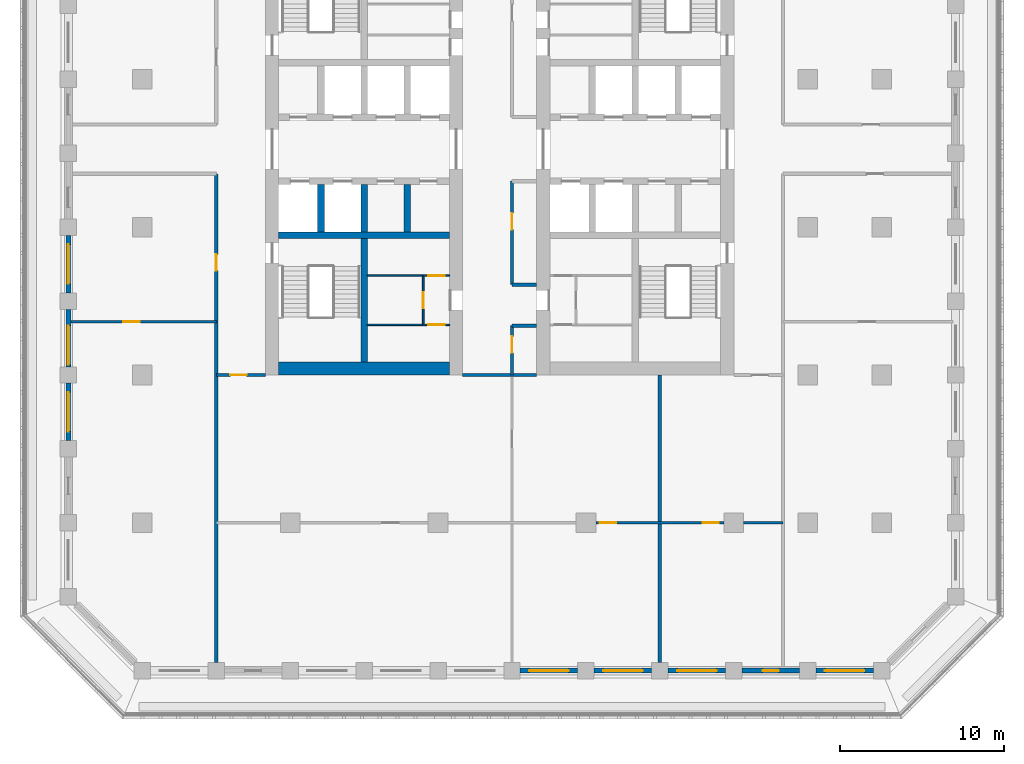
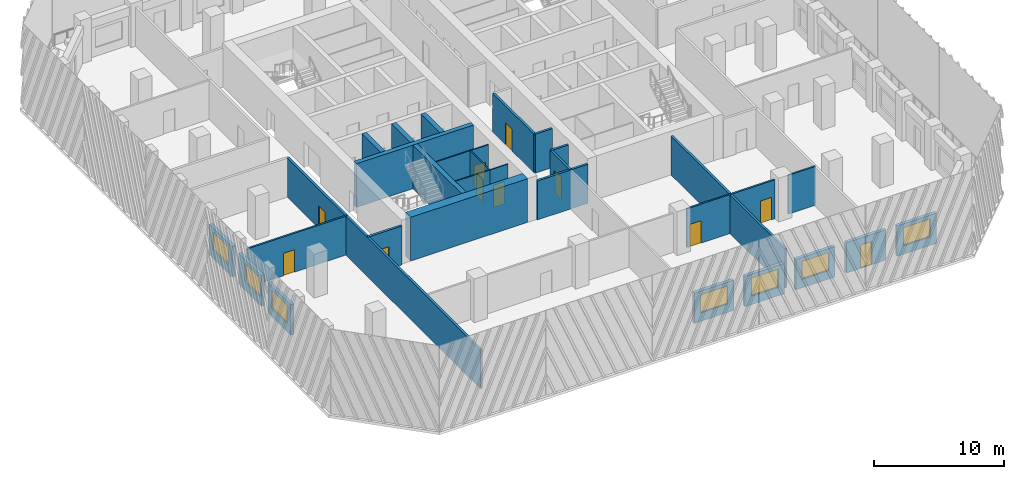
# One storey, part 3 of 16: 30 walls, 11 doors, 7 windows, 18 openings.
"""IFC4 building model written with IfcOpenShell, lengths in metres."""

from ifc_helpers import new_model, si_unit, direction, frame, frame_2d, origin, place, context, subcontext, project, spatial, rectangle, extrude, material, layer, layer_set, type_object, element, fill, save


model = new_model("IFC4")

# Units and contexts
model_context = context("Model", 3, precision=1e-05, world=origin(), true_north=direction((0.0, 1.0)))
body_context = subcontext(model_context, "Body", "Model", "MODEL_VIEW")
ifc_project = project(units=[si_unit("LENGTHUNIT", "METRE"), si_unit("AREAUNIT", "SQUARE_METRE"), si_unit("VOLUMEUNIT", "CUBIC_METRE"), si_unit("PLANEANGLEUNIT", "RADIAN"), si_unit("MASSUNIT", "GRAM", prefix="KILO")], contexts=[model_context])

# Site, building, storey
site_placement = place(None, origin())
site = spatial("IfcSite", under=ifc_project, at=site_placement, CompositionType="ELEMENT")
building_placement = place(site_placement, origin())
building = spatial("IfcBuilding", under=site, at=building_placement, Name="Corbel Stack Research Tower", CompositionType="ELEMENT")
storey_placement = place(building_placement, frame((0.0, 0.0, 199.699951171875)))
storey = spatial("IfcBuildingStorey", under=building, at=storey_placement, Name="L45", CompositionType="ELEMENT", Elevation=199.699951171875)

# Walls
ifc_material_1 = material(Name="Concrete C60/75", Category="concrete")
ifc_layer_1 = layer(ifc_material_1, 0.39990234375)
ifc_layer_set_1 = layer_set([ifc_layer_1], Name="Concrete C60/75")
wall_type_1 = type_object("IfcWallType", Name="CW-400-60", PredefinedType="SHEAR", material=ifc_layer_set_1)
wall_1_placement = place(storey_placement, frame((-9.699951171875, -0.5, 0.0), z_axis=(0.0, 0.0, 1.0), x_axis=(1.0, 0.0, 0.0)))
element("IfcWall", 1, at=wall_1_placement, inside=storey, type_object=wall_type_1, Name="West core wall, south row back L45", PredefinedType="SHEAR", context=body_context, shape_type="SweptSolid", body=[
    extrude(rectangle(XDim=10.39990234375, YDim=0.39990234375, at=frame_2d((5.199951171875, 0.0))), origin(), (0.0, 0.0, 1.0), 4.10009765625),
])
for number, where, z_axis, x_axis, name in (
    (2, (-7.125, -0.300048828125, 0.0), (0.0, 0.0, 1.0), (0.0, 1.0, 0.0), "West core wall, south shaft 1 L45"),
    (3, (-4.5, -0.300048828125, 0.0), (0.0, 0.0, 1.0), (0.0, 1.0, 0.0), "West core wall, south shaft 2 L45"),
    (4, (-1.875, -0.300048828125, 0.0), (0.0, 0.0, 1.0), (0.0, 1.0, 0.0), "West core wall, south shaft 3 L45"),
):
    element("IfcWall", number, at=place(storey_placement, frame(where, z_axis=z_axis, x_axis=x_axis)), inside=storey, type_object=wall_type_1, Name=name, PredefinedType="SHEAR", context=body_context, shape_type="SweptSolid", body=[
        extrude(rectangle(XDim=2.900146484375, YDim=0.39990234375, at=frame_2d((1.4501953125, 0.0))), origin(), (0.0, 0.0, 1.0), 4.10009765625),
    ])
wall_2_placement = place(storey_placement, frame((-4.5, -8.199951171875, 0.0), z_axis=(0.0, 0.0, 1.0), x_axis=(0.0, 1.0, 0.0)))
element("IfcWall", 5, at=wall_2_placement, inside=storey, type_object=wall_type_1, Name="West core wall, south stair and WC L45", PredefinedType="SHEAR", context=body_context, shape_type="SweptSolid", body=[
    extrude(rectangle(XDim=7.5, YDim=0.39990234375, at=frame_2d((3.75, 0.0))), origin(), (0.0, 0.0, 1.0), 4.10009765625),
])
ifc_material_2 = material(Name="Concrete C60/75", Category="concrete")
ifc_layer_2 = layer(ifc_material_2, 0.800048828125)
ifc_layer_set_2 = layer_set([ifc_layer_2], Name="Concrete C60/75")
wall_type_2 = type_object("IfcWallType", Name="CW-800-60", PredefinedType="SHEAR", material=ifc_layer_set_2)
wall_3_placement = place(storey_placement, frame((-9.699951171875, -8.60009765625, 0.0), z_axis=(0.0, 0.0, 1.0), x_axis=(1.0, 0.0, 0.0)))
element("IfcWall", 6, at=wall_3_placement, inside=storey, type_object=wall_type_2, Name="West core wall, south end L45", PredefinedType="SHEAR", context=body_context, shape_type="SweptSolid", body=[
    extrude(rectangle(XDim=10.39990234375, YDim=0.800048828125, at=frame_2d((5.199951171875, 0.0))), origin(), (0.0, 0.0, 1.0), 4.10009765625),
])

# Wall, opening, door
ifc_material_3 = material(Name="Gypsum board")
ifc_layer_3 = layer(ifc_material_3, 0.10009765625)
ifc_layer_set_3 = layer_set([ifc_layer_3], Name="Gypsum board")
wall_type_3 = type_object("IfcWallType", Name="Core partition 100", PredefinedType="PARTITIONING", material=ifc_layer_set_3)
wall_4_placement = place(storey_placement, frame((-0.89990234375, -5.949951171875, 0.0), z_axis=(0.0, 0.0, 1.0), x_axis=(1.0, 0.0, 0.0)))
wall_4 = element("IfcWall", 7, at=wall_4_placement, inside=storey, type_object=wall_type_3, Name="Core partition W", PredefinedType="PARTITIONING", context=body_context, shape_type="SweptSolid", body=[
    extrude(rectangle(XDim=1.599853515625, YDim=0.10009765625, at=frame_2d((0.7998046875, 0.0))), origin(), (0.0, 0.0, 1.0), 3.650146484375),
])
opening_1_placement = place(wall_4_placement, frame((0.300048828125, 0.0, 0.0)))
opening_1 = element("IfcOpeningElement", 8, at=opening_1_placement, cuts=wall_4, Name="Opening CR-W36-W2-1000", PredefinedType="OPENING", context=body_context, shape_type="SweptSolid", body=[
    extrude(rectangle(XDim=1.0, YDim=2.10009765625, at=frame_2d((0.5, 1.050048828125))), frame((0.0, 0.06005859375, 0.0), z_axis=(0.0, -1.0, 0.0), x_axis=(1.0, 0.0, 0.0)), (0.0, 0.0, 1.0), 0.1201171875),
])
ifc_material_4 = material(Name="Painted timber door", Category="wood")
door_type_1 = type_object("IfcDoorType", Name="WC door 1000 x 2100 right hand", OperationType="SINGLE_SWING_RIGHT", PredefinedType="DOOR", material=ifc_material_4)
door_1_placement = place(opening_1_placement, origin())
door_1 = element("IfcDoor", 9, at=door_1_placement, inside=storey, type_object=door_type_1, Name="Men's WC door W core", OperationType="SINGLE_SWING_RIGHT", OverallHeight=2.10009765625, OverallWidth=1.0, PredefinedType="DOOR", context=body_context, shape_type="SweptSolid", body=[
    extrude(rectangle(XDim=1.0, YDim=2.10009765625, at=frame_2d((0.5, 1.050048828125))), frame((0.0, 0.02490234375, 0.0), z_axis=(0.0, -1.0, 0.0), x_axis=(1.0, 0.0, 0.0)), (0.0, 0.0, 1.0), 0.050048828125),
])
fill(opening_1, door_1)

wall_5_placement = place(storey_placement, frame((-0.89990234375, -2.949951171875, 0.0), z_axis=(0.0, 0.0, 1.0), x_axis=(1.0, 0.0, 0.0)))
wall_5 = element("IfcWall", 10, at=wall_5_placement, inside=storey, type_object=wall_type_3, Name="Core partition W", PredefinedType="PARTITIONING", context=body_context, shape_type="SweptSolid", body=[
    extrude(rectangle(XDim=1.599853515625, YDim=0.10009765625, at=frame_2d((0.7998046875, 0.0))), origin(), (0.0, 0.0, 1.0), 3.650146484375),
])
opening_2_placement = place(wall_5_placement, frame((0.300048828125, 0.0, 0.0)))
opening_2 = element("IfcOpeningElement", 11, at=opening_2_placement, cuts=wall_5, Name="Opening CR-W36-W3-1000", PredefinedType="OPENING", context=body_context, shape_type="SweptSolid", body=[
    extrude(rectangle(XDim=1.0, YDim=2.10009765625, at=frame_2d((0.5, 1.050048828125))), frame((0.0, 0.06005859375, 0.0), z_axis=(0.0, -1.0, 0.0), x_axis=(1.0, 0.0, 0.0)), (0.0, 0.0, 1.0), 0.1201171875),
])
ifc_material_5 = material(Name="Painted timber door", Category="wood")
door_type_2 = type_object("IfcDoorType", Name="WC door 1000 x 2100 left hand", OperationType="SINGLE_SWING_LEFT", PredefinedType="DOOR", material=ifc_material_5)
door_2_placement = place(opening_2_placement, origin())
door_2 = element("IfcDoor", 12, at=door_2_placement, inside=storey, type_object=door_type_2, Name="Women's WC door W core", OperationType="SINGLE_SWING_LEFT", OverallHeight=2.10009765625, OverallWidth=1.0, PredefinedType="DOOR", context=body_context, shape_type="SweptSolid", body=[
    extrude(rectangle(XDim=1.0, YDim=2.10009765625, at=frame_2d((0.5, 1.050048828125))), frame((0.0, 0.02490234375, 0.0), z_axis=(0.0, -1.0, 0.0), x_axis=(1.0, 0.0, 0.0)), (0.0, 0.0, 1.0), 0.050048828125),
])
fill(opening_2, door_2)

wall_6_placement = place(storey_placement, frame((-0.89990234375, -5.949951171875, 0.0), z_axis=(0.0, 0.0, 1.0), x_axis=(0.0, 1.0, 0.0)))
wall_6 = element("IfcWall", 13, at=wall_6_placement, inside=storey, type_object=wall_type_3, Name="Core partition W", PredefinedType="PARTITIONING", context=body_context, shape_type="SweptSolid", body=[
    extrude(rectangle(XDim=3.0, YDim=0.10009765625, at=frame_2d((1.5, 0.0))), origin(), (0.0, 0.0, 1.0), 3.650146484375),
])
opening_3_placement = place(wall_6_placement, frame((1.0, 0.0, 0.0)))
opening_3 = element("IfcOpeningElement", 14, at=opening_3_placement, cuts=wall_6, Name="Opening CR-W36-W4-1000", PredefinedType="OPENING", context=body_context, shape_type="SweptSolid", body=[
    extrude(rectangle(XDim=1.0, YDim=2.10009765625, at=frame_2d((0.5, 1.050048828125))), frame((0.0, 0.06005859375, 0.0), z_axis=(0.0, -1.0, 0.0), x_axis=(1.0, 0.0, 0.0)), (0.0, 0.0, 1.0), 0.1201171875),
])
door_3_placement = place(opening_3_placement, origin())
door_3 = element("IfcDoor", 15, at=door_3_placement, inside=storey, type_object=door_type_1, Name="Accessible WC door W core", OperationType="SINGLE_SWING_RIGHT", OverallHeight=2.10009765625, OverallWidth=1.0, PredefinedType="DOOR", context=body_context, shape_type="SweptSolid", body=[
    extrude(rectangle(XDim=1.0, YDim=2.10009765625, at=frame_2d((0.5, 1.050048828125))), frame((0.0, 0.02490234375, 0.0), z_axis=(0.0, -1.0, 0.0), x_axis=(1.0, 0.0, 0.0)), (0.0, 0.0, 1.0), 0.050048828125),
])
fill(opening_3, door_3)

# Walls
for number, where, z_axis, x_axis, name in (
    (16, (-4.300048828125, -5.949951171875, 0.0), (0.0, 0.0, 1.0), (1.0, 0.0, 0.0), "Core partition W"),
    (17, (-4.300048828125, -2.949951171875, 0.0), (0.0, 0.0, 1.0), (1.0, 0.0, 0.0), "Core partition W"),
):
    element("IfcWall", number, at=place(storey_placement, frame(where, z_axis=z_axis, x_axis=x_axis)), inside=storey, type_object=wall_type_3, Name=name, PredefinedType="PARTITIONING", context=body_context, shape_type="SweptSolid", body=[
        extrude(rectangle(XDim=3.400146484375, YDim=0.10009765625, at=frame_2d((1.7001953125, 0.0))), origin(), (0.0, 0.0, 1.0), 3.650146484375),
    ])

# Wall, opening, door
ifc_material_6 = material(Name="Fire-rated gypsum board partition on steel studs", Category="steel")
ifc_layer_4 = layer(ifc_material_6, 0.199951171875)
ifc_layer_set_4 = layer_set([ifc_layer_4], Name="Fire-rated gypsum board partition on steel studs")
wall_type_4 = type_object("IfcWallType", Name="Fire-rated partition 200 EI 60", PredefinedType="PARTITIONING", material=ifc_layer_set_4)
wall_7_placement = place(storey_placement, frame((-13.5, -26.5, 0.0), z_axis=(0.0, 0.0, 1.0), x_axis=(0.0, 1.0, 0.0)))
wall_7 = element("IfcWall", 18, at=wall_7_placement, inside=storey, type_object=wall_type_4, Name="Partition L45-001", PredefinedType="PARTITIONING", context=body_context, shape_type="SweptSolid", body=[
    extrude(rectangle(XDim=29.75, YDim=0.199951171875, at=frame_2d((14.875, 0.0))), origin(), (0.0, 0.0, 1.0), 3.650146484375),
])
opening_4_placement = place(wall_7_placement, frame((23.85009765625, 0.0, 0.0)))
opening_4 = element("IfcOpeningElement", 19, at=opening_4_placement, cuts=wall_7, Name="Opening B6V0-004", PredefinedType="OPENING", context=body_context, shape_type="SweptSolid", body=[
    extrude(rectangle(XDim=1.0, YDim=2.10009765625, at=frame_2d((0.5, 1.050048828125))), frame((0.0, 0.10986328125, 0.0), z_axis=(0.0, -1.0, 0.0), x_axis=(1.0, 0.0, 0.0)), (0.0, 0.0, 1.0), 0.219970703125),
])
ifc_material_7 = material(Name="Painted steel fire door", Category="steel")
door_type_3 = type_object("IfcDoorType", Name="Fire door FD30S 1000 x 2100", OperationType="NOTDEFINED", PredefinedType="DOOR", material=ifc_material_7)
door_4_placement = place(opening_4_placement, origin())
door_4 = element("IfcDoor", 20, at=door_4_placement, inside=storey, type_object=door_type_3, Name="Door B6V0-004", OperationType="SINGLE_SWING_RIGHT", OverallHeight=2.10009765625, OverallWidth=1.0, PredefinedType="DOOR", context=body_context, shape_type="SweptSolid", body=[
    extrude(rectangle(XDim=1.0, YDim=2.10009765625, at=frame_2d((0.5, 1.050048828125))), frame((0.0, 0.02490234375, 0.0), z_axis=(0.0, -1.0, 0.0), x_axis=(1.0, 0.0, 0.0)), (0.0, 0.0, 1.0), 0.050048828125),
])
fill(opening_4, door_4)

wall_8_placement = place(storey_placement, frame((4.5, -6.0, 0.0), z_axis=(0.0, 0.0, 1.0), x_axis=(0.0, -1.0, 0.0)))
wall_8 = element("IfcWall", 21, at=wall_8_placement, inside=storey, type_object=wall_type_4, Name="Partition L45-005", PredefinedType="PARTITIONING", context=body_context, shape_type="SweptSolid", body=[
    extrude(rectangle(XDim=3.0, YDim=0.199951171875, at=frame_2d((1.5, 0.0))), origin(), (0.0, 0.0, 1.0), 3.650146484375),
])
opening_5_placement = place(wall_8_placement, frame((0.64990234375, 0.0, 0.0)))
opening_5 = element("IfcOpeningElement", 22, at=opening_5_placement, cuts=wall_8, Name="Opening B6V0-012", PredefinedType="OPENING", context=body_context, shape_type="SweptSolid", body=[
    extrude(rectangle(XDim=1.0, YDim=2.10009765625, at=frame_2d((0.5, 1.050048828125))), frame((0.0, 0.10986328125, 0.0), z_axis=(0.0, -1.0, 0.0), x_axis=(1.0, 0.0, 0.0)), (0.0, 0.0, 1.0), 0.219970703125),
])
door_5_placement = place(opening_5_placement, origin())
door_5 = element("IfcDoor", 23, at=door_5_placement, inside=storey, type_object=door_type_3, Name="Door B6V0-012", OperationType="SINGLE_SWING_LEFT", OverallHeight=2.10009765625, OverallWidth=1.0, PredefinedType="DOOR", context=body_context, shape_type="SweptSolid", body=[
    extrude(rectangle(XDim=1.0, YDim=2.10009765625, at=frame_2d((0.5, 1.050048828125))), frame((0.0, 0.02490234375, 0.0), z_axis=(0.0, -1.0, 0.0), x_axis=(1.0, 0.0, 0.0)), (0.0, 0.0, 1.0), 0.050048828125),
])
fill(opening_5, door_5)

wall_9_placement = place(storey_placement, frame((4.5, 2.800048828125, 0.0), z_axis=(0.0, 0.0, 1.0), x_axis=(0.0, -1.0, 0.0)))
wall_9 = element("IfcWall", 24, at=wall_9_placement, inside=storey, type_object=wall_type_4, Name="Partition L45-006", PredefinedType="PARTITIONING", context=body_context, shape_type="SweptSolid", body=[
    extrude(rectangle(XDim=6.300048828125, YDim=0.199951171875, at=frame_2d((3.14990234375, 0.0))), origin(), (0.0, 0.0, 1.0), 3.650146484375),
])
opening_6_placement = place(wall_9_placement, frame((1.949951171875, 0.0, 0.0)))
opening_6 = element("IfcOpeningElement", 25, at=opening_6_placement, cuts=wall_9, Name="Opening B6V0-013", PredefinedType="OPENING", context=body_context, shape_type="SweptSolid", body=[
    extrude(rectangle(XDim=1.0, YDim=2.10009765625, at=frame_2d((0.5, 1.050048828125))), frame((0.0, 0.10986328125, 0.0), z_axis=(0.0, -1.0, 0.0), x_axis=(1.0, 0.0, 0.0)), (0.0, 0.0, 1.0), 0.219970703125),
])
door_6_placement = place(opening_6_placement, origin())
door_6 = element("IfcDoor", 26, at=door_6_placement, inside=storey, type_object=door_type_3, Name="Door B6V0-013", OperationType="SINGLE_SWING_LEFT", OverallHeight=2.10009765625, OverallWidth=1.0, PredefinedType="DOOR", context=body_context, shape_type="SweptSolid", body=[
    extrude(rectangle(XDim=1.0, YDim=2.10009765625, at=frame_2d((0.5, 1.050048828125))), frame((0.0, 0.02490234375, 0.0), z_axis=(0.0, -1.0, 0.0), x_axis=(1.0, 0.0, 0.0)), (0.0, 0.0, 1.0), 0.050048828125),
])
fill(opening_6, door_6)

# Wall
wall_10_placement = place(storey_placement, frame((13.5, -26.5, 0.0), z_axis=(0.0, 0.0, 1.0), x_axis=(0.0, 1.0, 0.0)))
element("IfcWall", 27, at=wall_10_placement, inside=storey, type_object=wall_type_4, Name="Partition L45-008", PredefinedType="PARTITIONING", context=body_context, shape_type="SweptSolid", body=[
    extrude(rectangle(XDim=17.5, YDim=0.199951171875, at=frame_2d((8.75, 0.0))), origin(), (0.0, 0.0, 1.0), 3.650146484375),
])

# Wall, opening, door
wall_11_placement = place(storey_placement, frame((-10.5, -9.0, 0.0), z_axis=(0.0, 0.0, 1.0), x_axis=(-1.0, 0.0, 0.0)))
wall_11 = element("IfcWall", 28, at=wall_11_placement, inside=storey, type_object=wall_type_4, Name="Partition L45-017", PredefinedType="PARTITIONING", context=body_context, shape_type="SweptSolid", body=[
    extrude(rectangle(XDim=3.0, YDim=0.199951171875, at=frame_2d((1.5, 0.0))), origin(), (0.0, 0.0, 1.0), 3.650146484375),
])
opening_7_placement = place(wall_11_placement, frame((1.14990234375, 0.0, 0.0)))
opening_7 = element("IfcOpeningElement", 29, at=opening_7_placement, cuts=wall_11, Name="Opening B6V0-006", PredefinedType="OPENING", context=body_context, shape_type="SweptSolid", body=[
    extrude(rectangle(XDim=1.0, YDim=2.10009765625, at=frame_2d((0.5, 1.050048828125))), frame((0.0, 0.10986328125, 0.0), z_axis=(0.0, -1.0, 0.0), x_axis=(1.0, 0.0, 0.0)), (0.0, 0.0, 1.0), 0.219970703125),
])
door_7_placement = place(opening_7_placement, origin())
door_7 = element("IfcDoor", 30, at=door_7_placement, inside=storey, type_object=door_type_3, Name="Door B6V0-006", OperationType="SINGLE_SWING_RIGHT", OverallHeight=2.10009765625, OverallWidth=1.0, PredefinedType="DOOR", context=body_context, shape_type="SweptSolid", body=[
    extrude(rectangle(XDim=1.0, YDim=2.10009765625, at=frame_2d((0.5, 1.050048828125))), frame((0.0, 0.02490234375, 0.0), z_axis=(0.0, -1.0, 0.0), x_axis=(1.0, 0.0, 0.0)), (0.0, 0.0, 1.0), 0.050048828125),
])
fill(opening_7, door_7)

# Walls
wall_12_placement = place(storey_placement, frame((1.5, -9.0, 0.0), z_axis=(0.0, 0.0, 1.0), x_axis=(1.0, 0.0, 0.0)))
element("IfcWall", 31, at=wall_12_placement, inside=storey, type_object=wall_type_4, Name="Partition L45-018", PredefinedType="PARTITIONING", context=body_context, shape_type="SweptSolid", body=[
    extrude(rectangle(XDim=4.5, YDim=0.199951171875, at=frame_2d((2.25, 0.0))), origin(), (0.0, 0.0, 1.0), 3.650146484375),
])
for number, where, z_axis, x_axis, name in (
    (32, (4.5, -6.0, 0.0), (0.0, 0.0, 1.0), (1.0, 0.0, 0.0), "Partition L45-020"),
    (33, (4.5, -3.5, 0.0), (0.0, 0.0, 1.0), (1.0, 0.0, 0.0), "Partition L45-023"),
):
    element("IfcWall", number, at=place(storey_placement, frame(where, z_axis=z_axis, x_axis=x_axis)), inside=storey, type_object=wall_type_4, Name=name, PredefinedType="PARTITIONING", context=body_context, shape_type="SweptSolid", body=[
        extrude(rectangle(XDim=1.5, YDim=0.199951171875, at=frame_2d((0.75, 0.0))), origin(), (0.0, 0.0, 1.0), 3.650146484375),
    ])

# Wall, openings, doors
ifc_material_8 = material(Name="Gypsum board partition on steel studs", Category="steel")
ifc_layer_5 = layer(ifc_material_8, 0.14990234375)
ifc_layer_set_5 = layer_set([ifc_layer_5], Name="Gypsum board partition on steel studs")
wall_type_5 = type_object("IfcWallType", Name="Partition 150", PredefinedType="PARTITIONING", material=ifc_layer_set_5)
wall_13_placement = place(storey_placement, frame((17.39990234375, -18.0, 0.0), z_axis=(0.0, 0.0, 1.0), x_axis=(-1.0, 0.0, 0.0)))
wall_13 = element("IfcWall", 34, at=wall_13_placement, inside=storey, type_object=wall_type_5, Name="Partition L45-015", PredefinedType="PARTITIONING", context=body_context, shape_type="SweptSolid", body=[
    extrude(rectangle(XDim=7.7998046875, YDim=0.14990234375, at=frame_2d((3.89990234375, 0.0))), origin(), (0.0, 0.0, 1.0), 3.650146484375),
])
opening_8_placement = place(wall_13_placement, frame((6.550048828125, 0.0, 0.0)))
opening_8 = element("IfcOpeningElement", 35, at=opening_8_placement, cuts=wall_13, Name="Opening B6V0-002", PredefinedType="OPENING", context=body_context, shape_type="SweptSolid", body=[
    extrude(rectangle(XDim=1.0, YDim=2.10009765625, at=frame_2d((0.5, 1.050048828125))), frame((0.0, 0.0849609375, 0.0), z_axis=(0.0, -1.0, 0.0), x_axis=(1.0, 0.0, 0.0)), (0.0, 0.0, 1.0), 0.169921875),
])
opening_9_placement = place(wall_13_placement, frame((0.300048828125, 0.0, 0.0)))
opening_9 = element("IfcOpeningElement", 36, at=opening_9_placement, cuts=wall_13, Name="Opening B6V0-003", PredefinedType="OPENING", context=body_context, shape_type="SweptSolid", body=[
    extrude(rectangle(XDim=1.0, YDim=2.10009765625, at=frame_2d((0.5, 1.050048828125))), frame((0.0, 0.0849609375, 0.0), z_axis=(0.0, -1.0, 0.0), x_axis=(1.0, 0.0, 0.0)), (0.0, 0.0, 1.0), 0.169921875),
])
ifc_material_9 = material(Name="Painted timber door", Category="wood")
door_type_4 = type_object("IfcDoorType", Name="Single door 1000 x 2100", OperationType="NOTDEFINED", PredefinedType="DOOR", material=ifc_material_9)
door_8_placement = place(opening_8_placement, origin())
door_8 = element("IfcDoor", 37, at=door_8_placement, inside=storey, type_object=door_type_4, Name="Door B6V0-002", OperationType="SINGLE_SWING_RIGHT", OverallHeight=2.10009765625, OverallWidth=1.0, PredefinedType="DOOR", context=body_context, shape_type="SweptSolid", body=[
    extrude(rectangle(XDim=1.0, YDim=2.10009765625, at=frame_2d((0.5, 1.050048828125))), frame((0.0, 0.02490234375, 0.0), z_axis=(0.0, -1.0, 0.0), x_axis=(1.0, 0.0, 0.0)), (0.0, 0.0, 1.0), 0.050048828125),
])
fill(opening_8, door_8)
door_9_placement = place(opening_9_placement, origin())
door_9 = element("IfcDoor", 38, at=door_9_placement, inside=storey, type_object=door_type_4, Name="Door B6V0-003", OperationType="SINGLE_SWING_LEFT", OverallHeight=2.10009765625, OverallWidth=1.0, PredefinedType="DOOR", context=body_context, shape_type="SweptSolid", body=[
    extrude(rectangle(XDim=1.0, YDim=2.10009765625, at=frame_2d((0.5, 1.050048828125))), frame((0.0, 0.02490234375, 0.0), z_axis=(0.0, -1.0, 0.0), x_axis=(1.0, 0.0, 0.0)), (0.0, 0.0, 1.0), 0.050048828125),
])
fill(opening_9, door_9)

# Wall
wall_14_placement = place(storey_placement, frame((18.60009765625, -18.0, 0.0), z_axis=(0.0, 0.0, 1.0), x_axis=(1.0, 0.0, 0.0)))
element("IfcWall", 39, at=wall_14_placement, inside=storey, type_object=wall_type_5, Name="Partition L45-016", PredefinedType="PARTITIONING", context=body_context, shape_type="SweptSolid", body=[
    extrude(rectangle(XDim=2.39990234375, YDim=0.14990234375, at=frame_2d((1.199951171875, 0.0))), origin(), (0.0, 0.0, 1.0), 3.650146484375),
])

# Wall, opening, door
wall_15_placement = place(storey_placement, frame((-13.5, -5.75, 0.0), z_axis=(0.0, 0.0, 1.0), x_axis=(-1.0, 0.0, 0.0)))
wall_15 = element("IfcWall", 40, at=wall_15_placement, inside=storey, type_object=wall_type_5, Name="Partition L45-021", PredefinedType="PARTITIONING", context=body_context, shape_type="SweptSolid", body=[
    extrude(rectangle(XDim=8.85009765625, YDim=0.14990234375, at=frame_2d((4.425048828125, 0.0))), origin(), (0.0, 0.0, 1.0), 3.650146484375),
])
opening_10_placement = place(wall_15_placement, frame((4.64990234375, 0.0, 0.0)))
opening_10 = element("IfcOpeningElement", 41, at=opening_10_placement, cuts=wall_15, Name="Opening B6V0-008", PredefinedType="OPENING", context=body_context, shape_type="SweptSolid", body=[
    extrude(rectangle(XDim=1.0, YDim=2.10009765625, at=frame_2d((0.5, 1.050048828125))), frame((0.0, 0.0849609375, 0.0), z_axis=(0.0, -1.0, 0.0), x_axis=(1.0, 0.0, 0.0)), (0.0, 0.0, 1.0), 0.169921875),
])
door_10_placement = place(opening_10_placement, origin())
door_10 = element("IfcDoor", 42, at=door_10_placement, inside=storey, type_object=door_type_4, Name="Door B6V0-008", OperationType="SINGLE_SWING_RIGHT", OverallHeight=2.10009765625, OverallWidth=1.0, PredefinedType="DOOR", context=body_context, shape_type="SweptSolid", body=[
    extrude(rectangle(XDim=1.0, YDim=2.10009765625, at=frame_2d((0.5, 1.050048828125))), frame((0.0, 0.02490234375, 0.0), z_axis=(0.0, -1.0, 0.0), x_axis=(1.0, 0.0, 0.0)), (0.0, 0.0, 1.0), 0.050048828125),
])
fill(opening_10, door_10)

# Wall, opening, window
ifc_material_10 = material(Name="Concrete C45/55", Category="concrete")
ifc_layer_6 = layer(ifc_material_10, 0.300048828125)
ifc_layer_set_6 = layer_set([ifc_layer_6], Name="Concrete C45/55")
wall_type_6 = type_object("IfcWallType", Name="Terracotta-faced concrete wall 300", PredefinedType="SOLIDWALL", material=ifc_layer_set_6)
wall_16_placement = place(storey_placement, frame((8.5, -27.0, 0.0), z_axis=(0.0, 0.0, 1.0), x_axis=(-1.0, 0.0, 0.0)))
wall_16 = element("IfcWall", 43, at=wall_16_placement, inside=storey, type_object=wall_type_6, Name="Facade wall L45 S06", PredefinedType="SOLIDWALL", context=body_context, shape_type="SweptSolid", body=[
    extrude(rectangle(XDim=3.5, YDim=0.300048828125, at=frame_2d((1.75, 0.0))), origin(), (0.0, 0.0, 1.0), 2.85009765625),
])
opening_11_placement = place(wall_16_placement, frame((0.550048828125, 0.0, 0.800048828125)))
opening_11 = element("IfcOpeningElement", 44, at=opening_11_placement, cuts=wall_16, Name="Opening W1", PredefinedType="OPENING", context=body_context, shape_type="SweptSolid", body=[
    extrude(rectangle(XDim=2.39990234375, YDim=1.699951171875, at=frame_2d((1.199951171875, 0.85009765625))), frame((0.0, 0.159912109375, 0.0), z_axis=(0.0, -1.0, 0.0), x_axis=(1.0, 0.0, 0.0)), (0.0, 0.0, 1.0), 0.320068359375),
])
ifc_material_11 = material(Name="Aluminium frame, clear double glazing", Category="aluminium")
window_type = type_object("IfcWindowType", Name="Window W1 2400 x 1700", PartitioningType="SINGLE_PANEL", PredefinedType="WINDOW", material=ifc_material_11)
window_1_placement = place(opening_11_placement, origin())
window_1 = element("IfcWindow", 45, at=window_1_placement, inside=storey, type_object=window_type, Name="Window W1 L45 S06", OverallHeight=1.699951171875, OverallWidth=2.39990234375, PartitioningType="SINGLE_PANEL", PredefinedType="WINDOW", context=body_context, shape_type="SweptSolid", body=[
    extrude(rectangle(XDim=2.39990234375, YDim=1.699951171875, at=frame_2d((1.199951171875, 0.85009765625))), frame((0.0, 0.030029296875, 0.0), z_axis=(0.0, -1.0, 0.0), x_axis=(1.0, 0.0, 0.0)), (0.0, 0.0, 1.0), 0.06005859375),
])
fill(opening_11, window_1)

wall_17_placement = place(storey_placement, frame((13.0, -27.0, 0.0), z_axis=(0.0, 0.0, 1.0), x_axis=(-1.0, 0.0, 0.0)))
wall_17 = element("IfcWall", 46, at=wall_17_placement, inside=storey, type_object=wall_type_6, Name="Facade wall L45 S07", PredefinedType="SOLIDWALL", context=body_context, shape_type="SweptSolid", body=[
    extrude(rectangle(XDim=3.5, YDim=0.300048828125, at=frame_2d((1.75, 0.0))), origin(), (0.0, 0.0, 1.0), 2.85009765625),
])
opening_12_placement = place(wall_17_placement, frame((0.550048828125, 0.0, 0.800048828125)))
opening_12 = element("IfcOpeningElement", 47, at=opening_12_placement, cuts=wall_17, Name="Opening W1", PredefinedType="OPENING", context=body_context, shape_type="SweptSolid", body=[
    extrude(rectangle(XDim=2.39990234375, YDim=1.699951171875, at=frame_2d((1.199951171875, 0.85009765625))), frame((0.0, 0.159912109375, 0.0), z_axis=(0.0, -1.0, 0.0), x_axis=(1.0, 0.0, 0.0)), (0.0, 0.0, 1.0), 0.320068359375),
])
window_2_placement = place(opening_12_placement, origin())
window_2 = element("IfcWindow", 48, at=window_2_placement, inside=storey, type_object=window_type, Name="Window W1 L45 S07", OverallHeight=1.699951171875, OverallWidth=2.39990234375, PartitioningType="SINGLE_PANEL", PredefinedType="WINDOW", context=body_context, shape_type="SweptSolid", body=[
    extrude(rectangle(XDim=2.39990234375, YDim=1.699951171875, at=frame_2d((1.199951171875, 0.85009765625))), frame((0.0, 0.030029296875, 0.0), z_axis=(0.0, -1.0, 0.0), x_axis=(1.0, 0.0, 0.0)), (0.0, 0.0, 1.0), 0.06005859375),
])
fill(opening_12, window_2)

wall_18_placement = place(storey_placement, frame((17.5, -27.0, 0.0), z_axis=(0.0, 0.0, 1.0), x_axis=(-1.0, 0.0, 0.0)))
wall_18 = element("IfcWall", 49, at=wall_18_placement, inside=storey, type_object=wall_type_6, Name="Facade wall L45 S08", PredefinedType="SOLIDWALL", context=body_context, shape_type="SweptSolid", body=[
    extrude(rectangle(XDim=3.5, YDim=0.300048828125, at=frame_2d((1.75, 0.0))), origin(), (0.0, 0.0, 1.0), 2.85009765625),
])
opening_13_placement = place(wall_18_placement, frame((0.550048828125, 0.0, 0.800048828125)))
opening_13 = element("IfcOpeningElement", 50, at=opening_13_placement, cuts=wall_18, Name="Opening W1", PredefinedType="OPENING", context=body_context, shape_type="SweptSolid", body=[
    extrude(rectangle(XDim=2.39990234375, YDim=1.699951171875, at=frame_2d((1.199951171875, 0.85009765625))), frame((0.0, 0.159912109375, 0.0), z_axis=(0.0, -1.0, 0.0), x_axis=(1.0, 0.0, 0.0)), (0.0, 0.0, 1.0), 0.320068359375),
])
window_3_placement = place(opening_13_placement, origin())
window_3 = element("IfcWindow", 51, at=window_3_placement, inside=storey, type_object=window_type, Name="Window W1 L45 S08", OverallHeight=1.699951171875, OverallWidth=2.39990234375, PartitioningType="SINGLE_PANEL", PredefinedType="WINDOW", context=body_context, shape_type="SweptSolid", body=[
    extrude(rectangle(XDim=2.39990234375, YDim=1.699951171875, at=frame_2d((1.199951171875, 0.85009765625))), frame((0.0, 0.030029296875, 0.0), z_axis=(0.0, -1.0, 0.0), x_axis=(1.0, 0.0, 0.0)), (0.0, 0.0, 1.0), 0.06005859375),
])
fill(opening_13, window_3)

# Wall, opening, door
wall_19_placement = place(storey_placement, frame((22.0, -27.0, 0.0), z_axis=(0.0, 0.0, 1.0), x_axis=(-1.0, 0.0, 0.0)))
wall_19 = element("IfcWall", 52, at=wall_19_placement, inside=storey, type_object=wall_type_6, Name="Facade wall L45 S09", PredefinedType="SOLIDWALL", context=body_context, shape_type="SweptSolid", body=[
    extrude(rectangle(XDim=3.5, YDim=0.300048828125, at=frame_2d((1.75, 0.0))), origin(), (0.0, 0.0, 1.0), 2.85009765625),
])
opening_14_placement = place(wall_19_placement, frame((1.25, 0.0, 0.0)))
opening_14 = element("IfcOpeningElement", 53, at=opening_14_placement, cuts=wall_19, Name="Opening L45-B02", PredefinedType="OPENING", context=body_context, shape_type="SweptSolid", body=[
    extrude(rectangle(XDim=1.0, YDim=2.199951171875, at=frame_2d((0.5, 1.10009765625))), frame((0.0, 0.159912109375, 0.0), z_axis=(0.0, -1.0, 0.0), x_axis=(1.0, 0.0, 0.0)), (0.0, 0.0, 1.0), 0.320068359375),
])
ifc_material_12 = material(Name="Aluminium frame, clear double glazing", Category="aluminium")
door_type_5 = type_object("IfcDoorType", Name="Balcony door BD1 1000 x 2200", OperationType="NOTDEFINED", PredefinedType="DOOR", material=ifc_material_12)
door_11_placement = place(opening_14_placement, origin())
door_11 = element("IfcDoor", 54, at=door_11_placement, inside=storey, type_object=door_type_5, Name="Balcony door L45-B02", OperationType="SINGLE_SWING_RIGHT", OverallHeight=2.199951171875, OverallWidth=1.0, PredefinedType="DOOR", context=body_context, shape_type="SweptSolid", body=[
    extrude(rectangle(XDim=1.0, YDim=2.199951171875, at=frame_2d((0.5, 1.10009765625))), frame((0.0, 0.02490234375, 0.0), z_axis=(0.0, -1.0, 0.0), x_axis=(1.0, 0.0, 0.0)), (0.0, 0.0, 1.0), 0.050048828125),
])
fill(opening_14, door_11)

# Wall, opening, window
wall_20_placement = place(storey_placement, frame((26.5, -27.0, 0.0), z_axis=(0.0, 0.0, 1.0), x_axis=(-1.0, 0.0, 0.0)))
wall_20 = element("IfcWall", 55, at=wall_20_placement, inside=storey, type_object=wall_type_6, Name="Facade wall L45 S10", PredefinedType="SOLIDWALL", context=body_context, shape_type="SweptSolid", body=[
    extrude(rectangle(XDim=3.5, YDim=0.300048828125, at=frame_2d((1.75, 0.0))), origin(), (0.0, 0.0, 1.0), 2.85009765625),
])
opening_15_placement = place(wall_20_placement, frame((0.550048828125, 0.0, 0.800048828125)))
opening_15 = element("IfcOpeningElement", 56, at=opening_15_placement, cuts=wall_20, Name="Opening W1", PredefinedType="OPENING", context=body_context, shape_type="SweptSolid", body=[
    extrude(rectangle(XDim=2.39990234375, YDim=1.699951171875, at=frame_2d((1.199951171875, 0.85009765625))), frame((0.0, 0.159912109375, 0.0), z_axis=(0.0, -1.0, 0.0), x_axis=(1.0, 0.0, 0.0)), (0.0, 0.0, 1.0), 0.320068359375),
])
window_4_placement = place(opening_15_placement, origin())
window_4 = element("IfcWindow", 57, at=window_4_placement, inside=storey, type_object=window_type, Name="Window W1 L45 S10", OverallHeight=1.699951171875, OverallWidth=2.39990234375, PartitioningType="SINGLE_PANEL", PredefinedType="WINDOW", context=body_context, shape_type="SweptSolid", body=[
    extrude(rectangle(XDim=2.39990234375, YDim=1.699951171875, at=frame_2d((1.199951171875, 0.85009765625))), frame((0.0, 0.030029296875, 0.0), z_axis=(0.0, -1.0, 0.0), x_axis=(1.0, 0.0, 0.0)), (0.0, 0.0, 1.0), 0.06005859375),
])
fill(opening_15, window_4)

wall_21_placement = place(storey_placement, frame((-22.5, -4.0, 0.0), z_axis=(0.0, 0.0, 1.0), x_axis=(0.0, 1.0, 0.0)))
wall_21 = element("IfcWall", 58, at=wall_21_placement, inside=storey, type_object=wall_type_6, Name="Facade wall L45 W06", PredefinedType="SOLIDWALL", context=body_context, shape_type="SweptSolid", body=[
    extrude(rectangle(XDim=3.5, YDim=0.300048828125, at=frame_2d((1.75, 0.0))), origin(), (0.0, 0.0, 1.0), 2.85009765625),
])
opening_16_placement = place(wall_21_placement, frame((0.550048828125, 0.0, 0.800048828125)))
opening_16 = element("IfcOpeningElement", 59, at=opening_16_placement, cuts=wall_21, Name="Opening W1", PredefinedType="OPENING", context=body_context, shape_type="SweptSolid", body=[
    extrude(rectangle(XDim=2.39990234375, YDim=1.699951171875, at=frame_2d((1.199951171875, 0.85009765625))), frame((0.0, 0.159912109375, 0.0), z_axis=(0.0, -1.0, 0.0), x_axis=(1.0, 0.0, 0.0)), (0.0, 0.0, 1.0), 0.320068359375),
])
window_5_placement = place(opening_16_placement, origin())
window_5 = element("IfcWindow", 60, at=window_5_placement, inside=storey, type_object=window_type, Name="Window W1 L45 W06", OverallHeight=1.699951171875, OverallWidth=2.39990234375, PartitioningType="SINGLE_PANEL", PredefinedType="WINDOW", context=body_context, shape_type="SweptSolid", body=[
    extrude(rectangle(XDim=2.39990234375, YDim=1.699951171875, at=frame_2d((1.199951171875, 0.85009765625))), frame((0.0, 0.030029296875, 0.0), z_axis=(0.0, -1.0, 0.0), x_axis=(1.0, 0.0, 0.0)), (0.0, 0.0, 1.0), 0.06005859375),
])
fill(opening_16, window_5)

wall_22_placement = place(storey_placement, frame((-22.5, -8.5, 0.0), z_axis=(0.0, 0.0, 1.0), x_axis=(0.0, 1.0, 0.0)))
wall_22 = element("IfcWall", 61, at=wall_22_placement, inside=storey, type_object=wall_type_6, Name="Facade wall L45 W07", PredefinedType="SOLIDWALL", context=body_context, shape_type="SweptSolid", body=[
    extrude(rectangle(XDim=3.5, YDim=0.300048828125, at=frame_2d((1.75, 0.0))), origin(), (0.0, 0.0, 1.0), 2.85009765625),
])
opening_17_placement = place(wall_22_placement, frame((0.112548828125, 0.0, 0.800048828125)))
opening_17 = element("IfcOpeningElement", 62, at=opening_17_placement, cuts=wall_22, Name="Opening W1", PredefinedType="OPENING", context=body_context, shape_type="SweptSolid", body=[
    extrude(rectangle(XDim=2.39990234375, YDim=1.699951171875, at=frame_2d((1.199951171875, 0.85009765625))), frame((0.0, 0.159912109375, 0.0), z_axis=(0.0, -1.0, 0.0), x_axis=(1.0, 0.0, 0.0)), (0.0, 0.0, 1.0), 0.320068359375),
])
window_6_placement = place(opening_17_placement, origin())
window_6 = element("IfcWindow", 63, at=window_6_placement, inside=storey, type_object=window_type, Name="Window W1 L45 W07", OverallHeight=1.699951171875, OverallWidth=2.39990234375, PartitioningType="SINGLE_PANEL", PredefinedType="WINDOW", context=body_context, shape_type="SweptSolid", body=[
    extrude(rectangle(XDim=2.39990234375, YDim=1.699951171875, at=frame_2d((1.199951171875, 0.85009765625))), frame((0.0, 0.030029296875, 0.0), z_axis=(0.0, -1.0, 0.0), x_axis=(1.0, 0.0, 0.0)), (0.0, 0.0, 1.0), 0.06005859375),
])
fill(opening_17, window_6)

wall_23_placement = place(storey_placement, frame((-22.5, -13.0, 0.0), z_axis=(0.0, 0.0, 1.0), x_axis=(0.0, 1.0, 0.0)))
wall_23 = element("IfcWall", 64, at=wall_23_placement, inside=storey, type_object=wall_type_6, Name="Facade wall L45 W08", PredefinedType="SOLIDWALL", context=body_context, shape_type="SweptSolid", body=[
    extrude(rectangle(XDim=3.5, YDim=0.300048828125, at=frame_2d((1.75, 0.0))), origin(), (0.0, 0.0, 1.0), 2.85009765625),
])
opening_18_placement = place(wall_23_placement, frame((0.550048828125, 0.0, 0.800048828125)))
opening_18 = element("IfcOpeningElement", 65, at=opening_18_placement, cuts=wall_23, Name="Opening W1", PredefinedType="OPENING", context=body_context, shape_type="SweptSolid", body=[
    extrude(rectangle(XDim=2.39990234375, YDim=1.699951171875, at=frame_2d((1.199951171875, 0.85009765625))), frame((0.0, 0.159912109375, 0.0), z_axis=(0.0, -1.0, 0.0), x_axis=(1.0, 0.0, 0.0)), (0.0, 0.0, 1.0), 0.320068359375),
])
window_7_placement = place(opening_18_placement, origin())
window_7 = element("IfcWindow", 66, at=window_7_placement, inside=storey, type_object=window_type, Name="Window W1 L45 W08", OverallHeight=1.699951171875, OverallWidth=2.39990234375, PartitioningType="SINGLE_PANEL", PredefinedType="WINDOW", context=body_context, shape_type="SweptSolid", body=[
    extrude(rectangle(XDim=2.39990234375, YDim=1.699951171875, at=frame_2d((1.199951171875, 0.85009765625))), frame((0.0, 0.030029296875, 0.0), z_axis=(0.0, -1.0, 0.0), x_axis=(1.0, 0.0, 0.0)), (0.0, 0.0, 1.0), 0.06005859375),
])
fill(opening_18, window_7)

save(model, "model.ifc")
